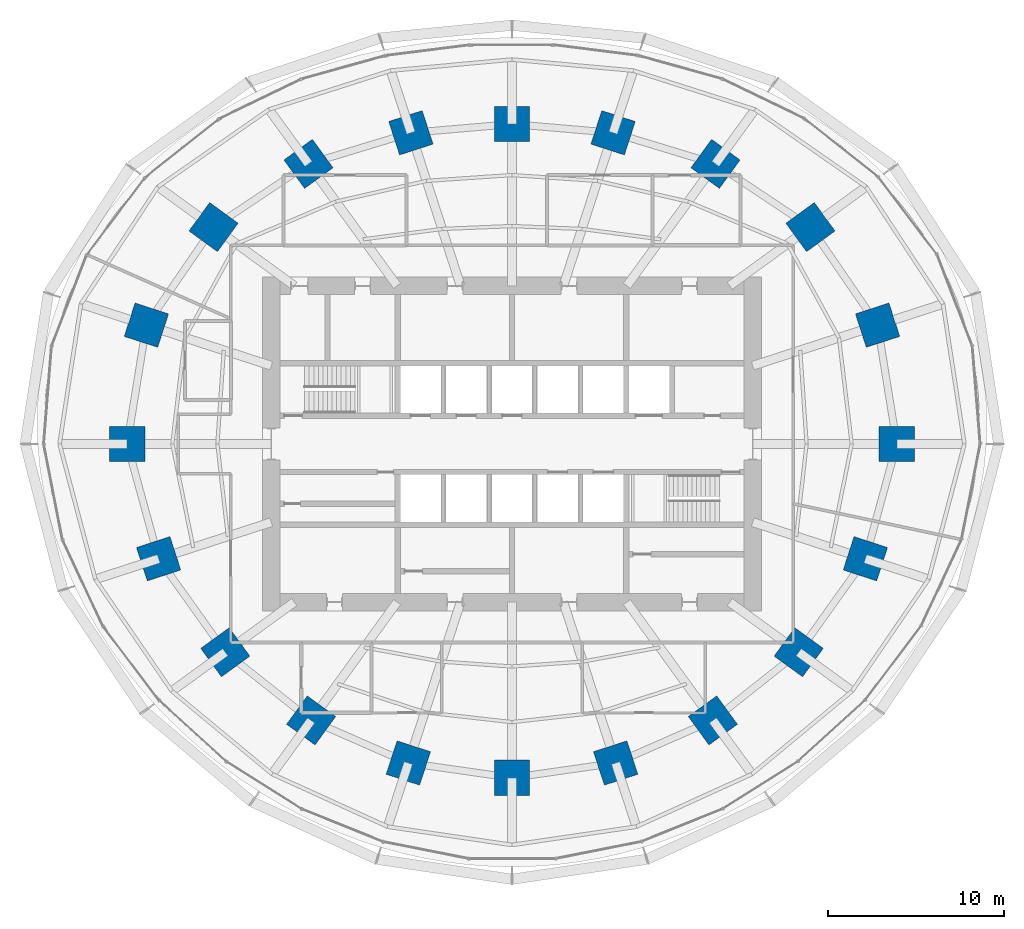
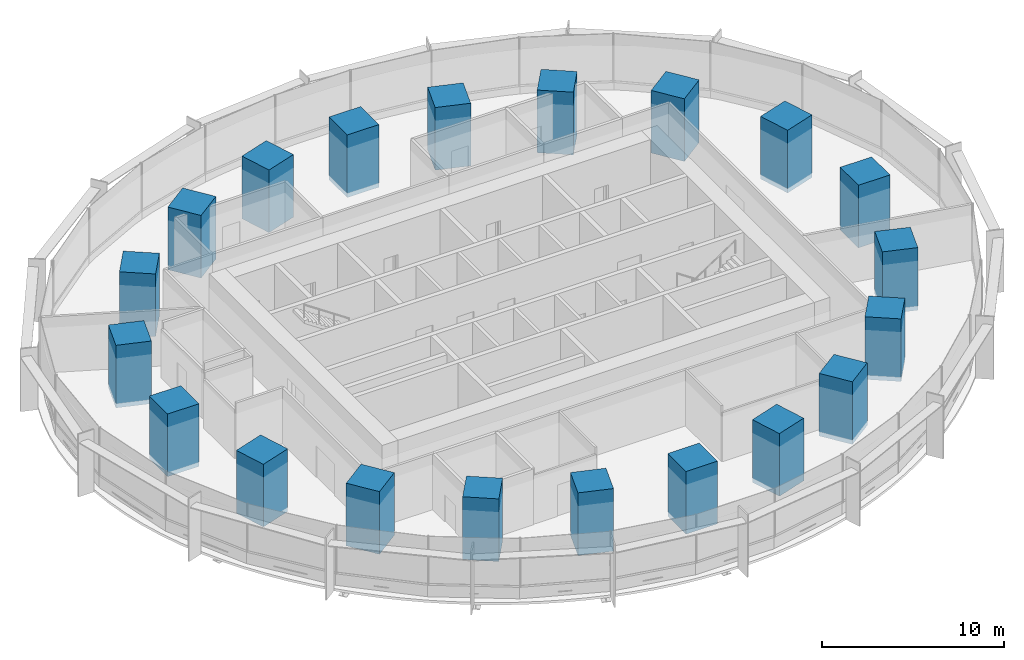
# One storey, part 1 of 15: 20 columns.
"""IFC4 building model written with IfcOpenShell, lengths in metres."""

from ifc_helpers import new_model, si_unit, direction, frame, origin, origin_2d, place, context, subcontext, project, spatial, rectangle, extrude, material, material_profile, profile_set, type_object, element, save


model = new_model("IFC4")

# Units and contexts
model_context = context("Model", 3, precision=1e-05, world=origin(), true_north=direction((0.0, 1.0)))
body_context = subcontext(model_context, "Body", "Model", "MODEL_VIEW")
ifc_project = project(units=[si_unit("LENGTHUNIT", "METRE"), si_unit("AREAUNIT", "SQUARE_METRE"), si_unit("VOLUMEUNIT", "CUBIC_METRE"), si_unit("PLANEANGLEUNIT", "RADIAN"), si_unit("MASSUNIT", "GRAM", prefix="KILO")], contexts=[model_context])

# Site, building, storey
site_placement = place(None, origin())
site = spatial("IfcSite", under=ifc_project, at=site_placement, CompositionType="ELEMENT")
building_placement = place(site_placement, origin())
building = spatial("IfcBuilding", under=site, at=building_placement, Name="Marramba Exchange Tower", CompositionType="ELEMENT")
storey_placement = place(building_placement, frame((0.0, 0.0, 40.60009765625)))
storey = spatial("IfcBuildingStorey", under=building, at=storey_placement, Name="L09", CompositionType="ELEMENT", Elevation=40.60009765625)

# Columns
ifc_material = material(Name="Concrete N50", Category="concrete")
ifc_material_profile = material_profile(ifc_material, rectangle(XDim=2.0, YDim=2.0, at=origin_2d()), Name="RC 2000x2000")
ifc_profile_set = profile_set([ifc_material_profile], Name="Concrete N50")
column_type = type_object("IfcColumnType", Name="Perimeter column RC 2000x2000 N50", PredefinedType="COLUMN", material=ifc_profile_set)
for number, where, z_axis, x_axis, name in (
    (1, (21.89990234375, 0.0, 0.0), (0.0, 0.0, 1.0), (1.0, 0.0, 0.0), "Column TC01 L09"),
    (2, (20.808349609375, 6.760986328125, 0.0), (0.0, 0.0, 1.0), (0.951056516295, 0.309016994375, 0.0), "Column TC02 L09"),
    (3, (16.98583984375, 12.3408203125, 0.0), (0.0, 0.0, 1.0), (0.809016994375, 0.587785252292, 0.0), "Column TC03 L09"),
    (4, (11.581298828125, 15.9404296875, 0.0), (0.0, 0.0, 1.0), (0.587785252292, 0.809016994375, 0.0), "Column TC04 L09"),
    (5, (5.75390625, 17.70849609375, 0.0), (0.0, 0.0, 1.0), (0.309016994375, 0.951056516295, 0.0), "Column TC05 L09"),
    (6, (0.0, 18.2041015625, 0.0), (0.0, 0.0, 1.0), (0.0, 1.0, 0.0), "Column TC06 L09"),
    (7, (-5.75390625, 17.70849609375, 0.0), (0.0, 0.0, 1.0), (-0.309016994375, 0.951056516295, 0.0), "Column TC07 L09"),
    (8, (-11.581298828125, 15.9404296875, 0.0), (0.0, 0.0, 1.0), (-0.587785252292, 0.809016994375, 0.0), "Column TC08 L09"),
    (9, (-16.98583984375, 12.3408203125, 0.0), (0.0, 0.0, 1.0), (-0.809016994375, 0.587785252292, 0.0), "Column TC09 L09"),
    (10, (-20.808349609375, 6.760986328125, 0.0), (0.0, 0.0, 1.0), (-0.951056516295, 0.309016994375, 0.0), "Column TC10 L09"),
    (11, (-21.89990234375, 0.0, 0.0), (0.0, 0.0, 1.0), (-1.0, 0.0, 0.0), "Column TC11 L09"),
    (12, (-20.109375, -6.533935546875, 0.0), (0.0, 0.0, 1.0), (-0.951056516295, -0.309016994375, 0.0), "Column TC12 L09"),
    (13, (-16.3154296875, -11.853759765625, 0.0), (0.0, 0.0, 1.0), (-0.809016994375, -0.587785252292, 0.0), "Column TC13 L09"),
    (14, (-11.430419921875, -15.732666015625, 0.0), (0.0, 0.0, 1.0), (-0.587785252292, -0.809016994375, 0.0), "Column TC14 L09"),
    (15, (-5.899658203125, -18.156982421875, 0.0), (0.0, 0.0, 1.0), (-0.309016994375, -0.951056516295, 0.0), "Column TC15 L09"),
    (16, (0.0, -18.99609375, 0.0), (0.0, 0.0, 1.0), (0.0, -1.0, 0.0), "Column TC16 L09"),
    (17, (5.899658203125, -18.156982421875, 0.0), (0.0, 0.0, 1.0), (0.309016994375, -0.951056516295, 0.0), "Column TC17 L09"),
    (18, (11.430419921875, -15.732666015625, 0.0), (0.0, 0.0, 1.0), (0.587785252292, -0.809016994375, 0.0), "Column TC18 L09"),
    (19, (16.3154296875, -11.853759765625, 0.0), (0.0, 0.0, 1.0), (0.809016994375, -0.587785252292, 0.0), "Column TC19 L09"),
    (20, (20.109375, -6.533935546875, 0.0), (0.0, 0.0, 1.0), (0.951056516295, -0.309016994375, 0.0), "Column TC20 L09"),
):
    element("IfcColumn", number, at=place(storey_placement, frame(where, z_axis=z_axis, x_axis=x_axis)), inside=storey, type_object=column_type, Name=name, PredefinedType="COLUMN", context=body_context, shape_type="SweptSolid", body=[
        extrude(rectangle(XDim=2.0, YDim=2.0, at=origin_2d()), origin(), (0.0, 0.0, 1.0), 4.199951171875),
    ])

save(model, "model.ifc")
